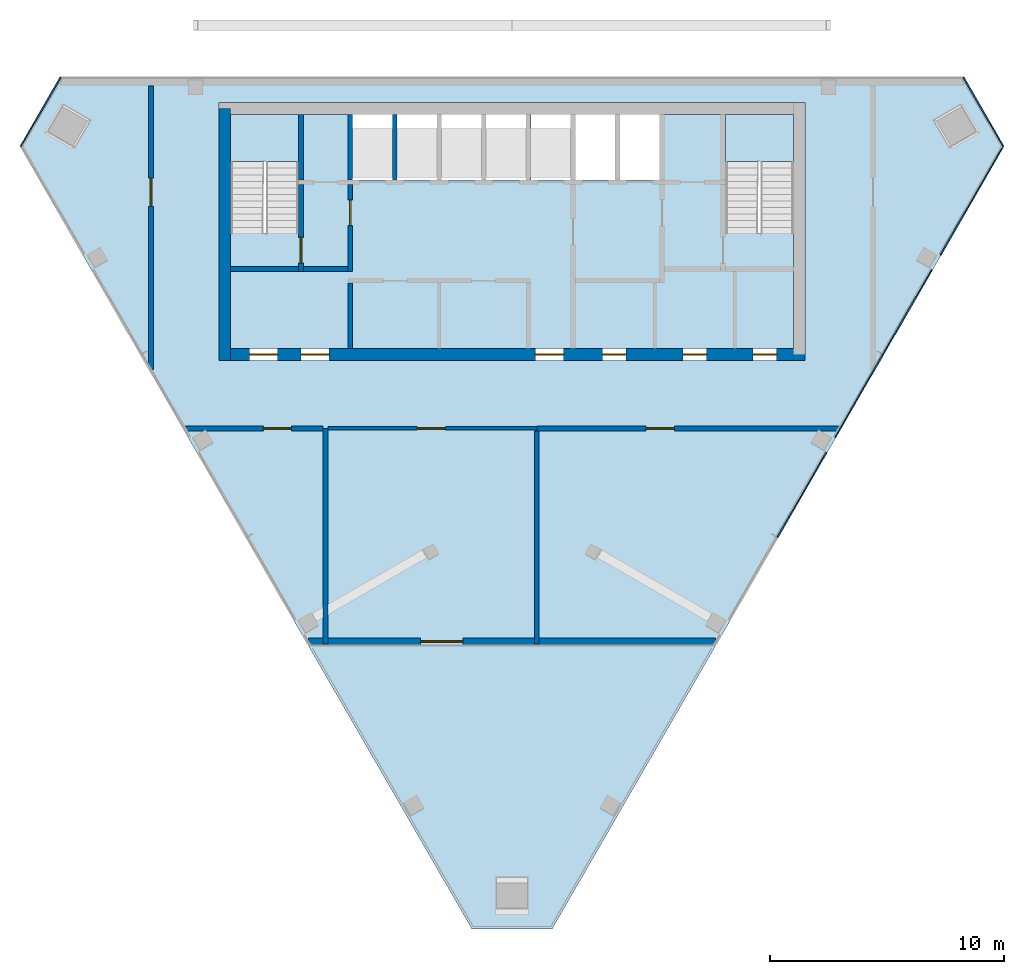
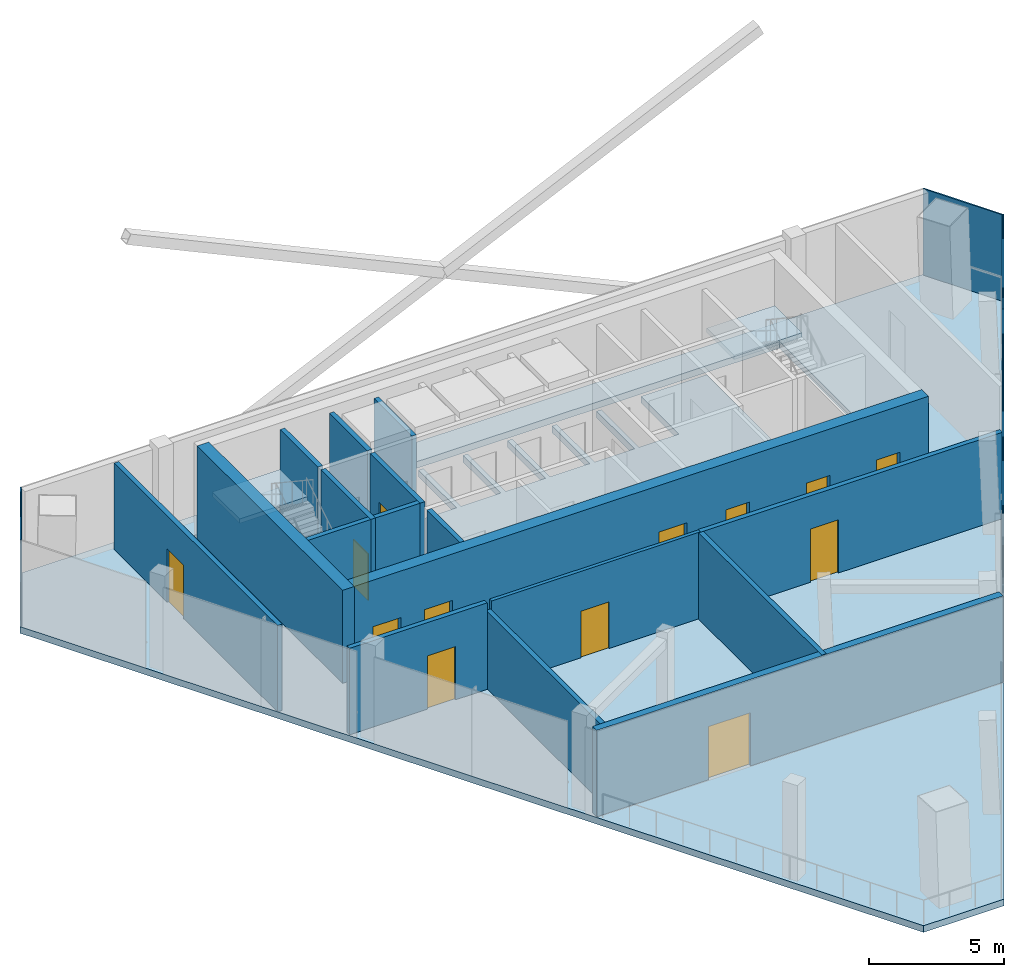
# One storey, part 5 of 8: 17 walls, 13 doors, 6 plates, 4 slabs, 13 openings, 5 elements without a shape of their own.
"""IFC4 building model written with IfcOpenShell, lengths in metres."""

from ifc_helpers import new_model, si_unit, direction, frame, frame_2d, origin, origin_2d, place, context, subcontext, project, spatial, polyline, rectangle, outline, extrude, material, layer, layer_set, type_object, element, fill, aggregate, save


model = new_model("IFC4")

# Units and contexts
model_context = context("Model", 3, precision=1e-05, world=origin(), true_north=direction((0.0, 1.0)))
body_context = subcontext(model_context, "Body", "Model", "MODEL_VIEW")
ifc_project = project(units=[si_unit("LENGTHUNIT", "METRE"), si_unit("AREAUNIT", "SQUARE_METRE"), si_unit("VOLUMEUNIT", "CUBIC_METRE"), si_unit("PLANEANGLEUNIT", "RADIAN"), si_unit("MASSUNIT", "GRAM", prefix="KILO")], contexts=[model_context])

# Site, building, storey
site_placement = place(None, origin())
site = spatial("IfcSite", under=ifc_project, at=site_placement, CompositionType="ELEMENT")
building_placement = place(site_placement, origin())
building = spatial("IfcBuilding", under=site, at=building_placement, Name="Altiplano Prism Tower", CompositionType="ELEMENT")
storey_placement = place(building_placement, frame((0.0, 0.0, 334.60009765625)))
storey = spatial("IfcBuildingStorey", under=building, at=storey_placement, Name="L87", CompositionType="ELEMENT", Elevation=334.60009765625)

# Curtain wall, plate
ifc_material_1 = material(Name="Aluminium and glass", Category="aluminium")
ifc_layer_1 = layer(ifc_material_1, 0.320068359375)
ifc_layer_set_1 = layer_set([ifc_layer_1], Name="Aluminium and glass")
curtain_wall_type = type_object("IfcCurtainWallType", Name="CW6 louvred plant-floor curtain wall", PredefinedType="NOTDEFINED", material=ifc_layer_set_1)
curtain_wall_1_placement = place(storey_placement, origin())
curtain_wall_1 = element("IfcCurtainWall", 1, at=curtain_wall_1_placement, inside=storey, type_object=curtain_wall_type, Name="CW6 curtain wall north-west chamfer L87", PredefinedType="NOTDEFINED")
ifc_material_2 = material(Name="Anodised aluminium", Category="aluminium")
ifc_layer_2 = layer(ifc_material_2, 0.06005859375)
ifc_layer_set_2 = layer_set([ifc_layer_2], Name="Anodised aluminium")
plate_type = type_object("IfcPlateType", Name="CW6 louvred aluminium panel 60", PredefinedType="CURTAIN_PANEL", material=ifc_layer_set_2)
plate_1_placement = place(storey_placement, frame((64.8896484375, 103.502685546875, 0.0), z_axis=(0.0, 0.0, 1.0), x_axis=(-0.500000119106, -0.866025335018, 0.0)))
plate_1 = element("IfcPlate", 2, at=plate_1_placement, type_object=plate_type, Name="CW6 panel", PredefinedType="CURTAIN_PANEL", context=body_context, shape_type="SweptSolid", body=[
    extrude(rectangle(XDim=3.413330078125, YDim=0.06005859375, at=origin_2d()), origin(), (0.0, 0.0, 1.0), 3.89990234375),
])
aggregate(curtain_wall_1, [plate_1])

# Curtain wall, plates
curtain_wall_2_placement = place(storey_placement, origin())
curtain_wall_2 = element("IfcCurtainWall", 3, at=curtain_wall_2_placement, inside=storey, type_object=curtain_wall_type, Name="CW6 curtain wall south-east face L87", PredefinedType="NOTDEFINED")
plate_2_placement = place(storey_placement, frame((97.36962890625, 87.16064453125, 0.0), z_axis=(0.0, 0.0, 1.0), x_axis=(0.500000009009, 0.866025398583, 0.0)))
plate_2 = element("IfcPlate", 4, at=plate_2_placement, type_object=plate_type, Name="CW6 panel", PredefinedType="CURTAIN_PANEL", context=body_context, shape_type="SweptSolid", body=[
    extrude(rectangle(XDim=4.16455078125, YDim=0.06005859375, at=origin_2d()), origin(), (0.0, 0.0, 1.0), 3.89990234375),
])
plate_3_placement = place(storey_placement, frame((99.805419921875, 91.379638671875, 0.0), z_axis=(0.0, 0.0, 1.0), x_axis=(0.500000009009, 0.866025398583, 0.0)))
plate_3 = element("IfcPlate", 5, at=plate_3_placement, type_object=plate_type, Name="CW6 panel", PredefinedType="CURTAIN_PANEL", context=body_context, shape_type="SweptSolid", body=[
    extrude(rectangle(XDim=4.072021484375, YDim=0.06005859375, at=origin_2d()), origin(), (0.0, 0.0, 1.0), 3.89990234375),
])
plate_4_placement = place(storey_placement, frame((101.86962890625, 94.954833984375, 0.0), z_axis=(0.0, 0.0, 1.0), x_axis=(0.500000009009, 0.866025398583, 0.0)))
plate_4 = element("IfcPlate", 6, at=plate_4_placement, type_object=plate_type, Name="CW6 panel", PredefinedType="CURTAIN_PANEL", context=body_context, shape_type="SweptSolid", body=[
    extrude(rectangle(XDim=4.16455078125, YDim=0.06005859375, at=origin_2d()), origin(), (0.0, 0.0, 1.0), 3.89990234375),
])
plate_5_placement = place(storey_placement, frame((104.62548828125, 99.728271484375, 0.0), z_axis=(0.0, 0.0, 1.0), x_axis=(0.500000009009, 0.866025398583, 0.0)))
plate_5 = element("IfcPlate", 7, at=plate_5_placement, type_object=plate_type, Name="CW6 panel", PredefinedType="CURTAIN_PANEL", context=body_context, shape_type="SweptSolid", body=[
    extrude(rectangle(XDim=5.3525390625, YDim=0.06005859375, at=origin_2d()), origin(), (0.0, 0.0, 1.0), 3.89990234375),
])
aggregate(curtain_wall_2, [plate_2, plate_3, plate_4, plate_5])

# Curtain wall, plate
curtain_wall_3_placement = place(storey_placement, origin())
curtain_wall_3 = element("IfcCurtainWall", 8, at=curtain_wall_3_placement, inside=storey, type_object=curtain_wall_type, Name="CW6 curtain wall north-east chamfer L87", PredefinedType="NOTDEFINED")
plate_6_placement = place(storey_placement, frame((105.1103515625, 103.502685546875, 0.0), z_axis=(0.0, 0.0, 1.0), x_axis=(-0.500000119106, 0.866025335018, 0.0)))
plate_6 = element("IfcPlate", 9, at=plate_6_placement, type_object=plate_type, Name="CW6 panel", PredefinedType="CURTAIN_PANEL", context=body_context, shape_type="SweptSolid", body=[
    extrude(rectangle(XDim=3.413330078125, YDim=0.06005859375, at=origin_2d()), origin(), (0.0, 0.0, 1.0), 3.89990234375),
])
aggregate(curtain_wall_3, [plate_6])

# Slabs
ifc_material_3 = material(Name="Concrete C40/50", Category="concrete")
ifc_layer_3 = layer(ifc_material_3, 0.300048828125)
ifc_layer_set_3 = layer_set([ifc_layer_3], Name="Concrete C40/50")
slab_type_1 = type_object("IfcSlabType", Name="Core floor slab 300", PredefinedType="FLOOR", material=ifc_layer_set_3)
slab_1_placement = place(storey_placement, frame((0.0, 0.0, -0.300048828125)))
element("IfcSlab", 10, at=slab_1_placement, inside=storey, type_object=slab_type_1, Name="Core floor slab L87", PredefinedType="FLOOR", context=body_context, shape_type="SweptSolid", body=[
    extrude(outline(polyline([(97.0, 98.31005859375), (94.10009765625, 98.31005859375), (94.10009765625, 103.39990234375), (91.300048828125, 103.39990234375), (91.300048828125, 100.60009765625), (89.60009765625, 100.60009765625), (89.60009765625, 103.39990234375), (89.39990234375, 103.39990234375), (89.39990234375, 100.60009765625), (87.699951171875, 100.60009765625), (87.699951171875, 103.39990234375), (87.5, 103.39990234375), (87.5, 100.60009765625), (85.800048828125, 100.60009765625), (85.800048828125, 103.39990234375), (85.60009765625, 103.39990234375), (85.60009765625, 100.60009765625), (83.89990234375, 100.60009765625), (83.89990234375, 103.39990234375), (83.699951171875, 103.39990234375), (83.699951171875, 100.60009765625), (82.0, 100.60009765625), (82.0, 103.39990234375), (81.800048828125, 103.39990234375), (81.800048828125, 100.60009765625), (80.10009765625, 100.60009765625), (80.10009765625, 103.39990234375), (79.89990234375, 103.39990234375), (79.89990234375, 100.60009765625), (78.199951171875, 100.60009765625), (78.199951171875, 103.39990234375), (75.89990234375, 103.39990234375), (75.89990234375, 98.31005859375), (73.0, 98.31005859375), (73.0, 93.39990234375), (97.0, 93.39990234375), (97.0, 98.31005859375)])), origin(), (0.0, 0.0, 1.0), 0.300048828125),
])
ifc_layer_4 = layer(ifc_material_3, 0.300048828125)
ifc_layer_set_4 = layer_set([ifc_layer_4], Name="Concrete C40/50")
slab_type_2 = type_object("IfcSlabType", Name="Post-tensioned flat slab 300", PredefinedType="FLOOR", material=ifc_layer_set_4)
slab_2_placement = place(storey_placement, frame((0.0, 0.0, -0.300048828125)))
element("IfcSlab", 11, at=slab_2_placement, inside=storey, type_object=slab_type_2, Name="Floor slab L87", PredefinedType="FLOOR", context=body_context, shape_type="SweptSolid", body=[
    extrude(outline(polyline([(105.991943359375, 102.035400390625), (86.711669921875, 68.640625), (83.288330078125, 68.640625), (64.008056640625, 102.035400390625), (65.7197265625, 105.0), (104.2802734375, 105.0), (105.991943359375, 102.035400390625)]), holes=[polyline([(97.5, 92.89990234375), (97.5, 103.89990234375), (72.5, 103.89990234375), (72.5, 92.89990234375), (97.5, 92.89990234375)])]), origin(), (0.0, 0.0, 1.0), 0.300048828125),
])

# Stair, slab
stair_type = type_object("IfcStairType", Name="Exit stair 1400", PredefinedType="HALF_TURN_STAIR", material=ifc_material_3)
stair_1_placement = place(storey_placement, origin())
stair_1 = element("IfcStair", 12, at=stair_1_placement, inside=storey, type_object=stair_type, Name="L87 Exit Stair 1", PredefinedType="HALF_TURN_STAIR")
ifc_layer_5 = layer(ifc_material_3, 0.199951171875)
ifc_layer_set_5 = layer_set([ifc_layer_5], Name="Concrete C40/50")
slab_type_3 = type_object("IfcSlabType", Name="Stair landing 200", PredefinedType="LANDING", material=ifc_layer_set_5)
slab_3_placement = place(storey_placement, frame((0.0, 0.0, 1.89990234375)))
slab_3 = element("IfcSlab", 13, at=slab_3_placement, type_object=slab_type_3, Name="ST1 landing 1", PredefinedType="LANDING", context=body_context, shape_type="SweptSolid", body=[
    extrude(outline(polyline([(75.89990234375, 101.376953125), (75.89990234375, 103.39990234375), (73.0, 103.39990234375), (73.0, 101.376953125), (75.89990234375, 101.376953125)])), origin(), (0.0, 0.0, 1.0), 0.199951171875),
])
aggregate(stair_1, [slab_3])

stair_2_placement = place(storey_placement, origin())
stair_2 = element("IfcStair", 14, at=stair_2_placement, inside=storey, type_object=stair_type, Name="L87 Exit Stair 2", PredefinedType="HALF_TURN_STAIR")
slab_4_placement = place(storey_placement, frame((0.0, 0.0, 1.89990234375)))
slab_4 = element("IfcSlab", 15, at=slab_4_placement, type_object=slab_type_3, Name="ST2 landing 1", PredefinedType="LANDING", context=body_context, shape_type="SweptSolid", body=[
    extrude(outline(polyline([(97.0, 101.376953125), (97.0, 103.39990234375), (94.10009765625, 103.39990234375), (94.10009765625, 101.376953125), (97.0, 101.376953125)])), origin(), (0.0, 0.0, 1.0), 0.199951171875),
])
aggregate(stair_2, [slab_4])

# Wall, openings, doors
ifc_material_4 = material(Name="Concrete C60/75", Category="concrete")
ifc_layer_6 = layer(ifc_material_4, 0.5)
ifc_layer_set_6 = layer_set([ifc_layer_6], Name="Concrete C60/75")
wall_type_1 = type_object("IfcWallType", Name="Core wall 500", PredefinedType="SHEAR", material=ifc_layer_set_6)
wall_1_placement = place(storey_placement, frame((72.75, 93.14990234375, 0.0), z_axis=(0.0, 0.0, 1.0), x_axis=(1.0, 0.0, 0.0)))
wall_1 = element("IfcWall", 16, at=wall_1_placement, inside=storey, type_object=wall_type_1, Name="Core wall S L87", PredefinedType="SHEAR", context=body_context, shape_type="SweptSolid", body=[
    extrude(rectangle(XDim=24.75, YDim=0.5, at=frame_2d((12.375, 0.0))), origin(), (0.0, 0.0, 1.0), 4.199951171875),
])
opening_1_placement = place(wall_1_placement, frame((1.050048828125, 0.0, 0.0)))
opening_1 = element("IfcOpeningElement", 17, at=opening_1_placement, cuts=wall_1, Name="Opening D3821", PredefinedType="OPENING", context=body_context, shape_type="SweptSolid", body=[
    extrude(rectangle(XDim=1.199951171875, YDim=2.10009765625, at=frame_2d((0.60009765625, 1.050048828125))), frame((0.0, 0.260498046875, 0.0), z_axis=(0.0, -1.0, 0.0), x_axis=(1.0, 0.0, 0.0)), (0.0, 0.0, 1.0), 0.52099609375),
])
opening_2_placement = place(wall_1_placement, frame((3.25, 0.0, 0.0)))
opening_2 = element("IfcOpeningElement", 18, at=opening_2_placement, cuts=wall_1, Name="Opening D3822", PredefinedType="OPENING", context=body_context, shape_type="SweptSolid", body=[
    extrude(rectangle(XDim=1.199951171875, YDim=2.10009765625, at=frame_2d((0.60009765625, 1.050048828125))), frame((0.0, 0.260498046875, 0.0), z_axis=(0.0, -1.0, 0.0), x_axis=(1.0, 0.0, 0.0)), (0.0, 0.0, 1.0), 0.52099609375),
])
opening_3_placement = place(wall_1_placement, frame((13.25, 0.0, 0.0)))
opening_3 = element("IfcOpeningElement", 19, at=opening_3_placement, cuts=wall_1, Name="Opening D3823", PredefinedType="OPENING", context=body_context, shape_type="SweptSolid", body=[
    extrude(rectangle(XDim=1.199951171875, YDim=2.10009765625, at=frame_2d((0.60009765625, 1.050048828125))), frame((0.0, 0.260498046875, 0.0), z_axis=(0.0, -1.0, 0.0), x_axis=(1.0, 0.0, 0.0)), (0.0, 0.0, 1.0), 0.52099609375),
])
opening_4_placement = place(wall_1_placement, frame((16.112548828125, 0.0, 0.0)))
opening_4 = element("IfcOpeningElement", 20, at=opening_4_placement, cuts=wall_1, Name="Opening D3826", PredefinedType="OPENING", context=body_context, shape_type="SweptSolid", body=[
    extrude(rectangle(XDim=1.0, YDim=2.10009765625, at=frame_2d((0.5, 1.050048828125))), frame((0.0, 0.260498046875, 0.0), z_axis=(0.0, -1.0, 0.0), x_axis=(1.0, 0.0, 0.0)), (0.0, 0.0, 1.0), 0.52099609375),
])
opening_5_placement = place(wall_1_placement, frame((19.550048828125, 0.0, 0.0)))
opening_5 = element("IfcOpeningElement", 21, at=opening_5_placement, cuts=wall_1, Name="Opening D3827", PredefinedType="OPENING", context=body_context, shape_type="SweptSolid", body=[
    extrude(rectangle(XDim=1.0, YDim=2.10009765625, at=frame_2d((0.5, 1.050048828125))), frame((0.0, 0.260498046875, 0.0), z_axis=(0.0, -1.0, 0.0), x_axis=(1.0, 0.0, 0.0)), (0.0, 0.0, 1.0), 0.52099609375),
])
opening_6_placement = place(wall_1_placement, frame((22.53759765625, 0.0, 0.0)))
opening_6 = element("IfcOpeningElement", 22, at=opening_6_placement, cuts=wall_1, Name="Opening D3828", PredefinedType="OPENING", context=body_context, shape_type="SweptSolid", body=[
    extrude(rectangle(XDim=1.0, YDim=2.10009765625, at=frame_2d((0.5, 1.050048828125))), frame((0.0, 0.260498046875, 0.0), z_axis=(0.0, -1.0, 0.0), x_axis=(1.0, 0.0, 0.0)), (0.0, 0.0, 1.0), 0.52099609375),
])
ifc_material_5 = material(Name="Fire-rated steel door", Category="steel")
door_type_1 = type_object("IfcDoorType", Name="Core room door 1000 x 2100", OperationType="NOTDEFINED", PredefinedType="NOTDEFINED", material=ifc_material_5)
door_1_placement = place(opening_4_placement, origin())
door_1 = element("IfcDoor", 23, at=door_1_placement, inside=storey, type_object=door_type_1, Name="Core room door D3826", OperationType="SINGLE_SWING_RIGHT", OverallHeight=2.10009765625, OverallWidth=1.0, PredefinedType="NOTDEFINED", context=body_context, shape_type="SweptSolid", body=[
    extrude(rectangle(XDim=1.0, YDim=2.10009765625, at=frame_2d((0.5, 1.050048828125))), frame((0.0, 0.02490234375, 0.0), z_axis=(0.0, -1.0, 0.0), x_axis=(1.0, 0.0, 0.0)), (0.0, 0.0, 1.0), 0.050048828125),
])
fill(opening_4, door_1)
door_2_placement = place(opening_5_placement, origin())
door_2 = element("IfcDoor", 24, at=door_2_placement, inside=storey, type_object=door_type_1, Name="Core room door D3827", OperationType="SINGLE_SWING_LEFT", OverallHeight=2.10009765625, OverallWidth=1.0, PredefinedType="NOTDEFINED", context=body_context, shape_type="SweptSolid", body=[
    extrude(rectangle(XDim=1.0, YDim=2.10009765625, at=frame_2d((0.5, 1.050048828125))), frame((0.0, 0.02490234375, 0.0), z_axis=(0.0, -1.0, 0.0), x_axis=(1.0, 0.0, 0.0)), (0.0, 0.0, 1.0), 0.050048828125),
])
fill(opening_5, door_2)
door_3_placement = place(opening_6_placement, origin())
door_3 = element("IfcDoor", 25, at=door_3_placement, inside=storey, type_object=door_type_1, Name="Core room door D3828", OperationType="SINGLE_SWING_RIGHT", OverallHeight=2.10009765625, OverallWidth=1.0, PredefinedType="NOTDEFINED", context=body_context, shape_type="SweptSolid", body=[
    extrude(rectangle(XDim=1.0, YDim=2.10009765625, at=frame_2d((0.5, 1.050048828125))), frame((0.0, 0.02490234375, 0.0), z_axis=(0.0, -1.0, 0.0), x_axis=(1.0, 0.0, 0.0)), (0.0, 0.0, 1.0), 0.050048828125),
])
fill(opening_6, door_3)
door_type_2 = type_object("IfcDoorType", Name="Lobby fire door 1200 x 2100", OperationType="NOTDEFINED", PredefinedType="NOTDEFINED", material=ifc_material_5)
door_4_placement = place(opening_1_placement, origin())
door_4 = element("IfcDoor", 26, at=door_4_placement, inside=storey, type_object=door_type_2, Name="Lobby fire door D3821", OperationType="SINGLE_SWING_RIGHT", OverallHeight=2.10009765625, OverallWidth=1.199951171875, PredefinedType="NOTDEFINED", context=body_context, shape_type="SweptSolid", body=[
    extrude(rectangle(XDim=1.199951171875, YDim=2.10009765625, at=frame_2d((0.60009765625, 1.050048828125))), frame((0.0, 0.02490234375, 0.0), z_axis=(0.0, -1.0, 0.0), x_axis=(1.0, 0.0, 0.0)), (0.0, 0.0, 1.0), 0.050048828125),
])
fill(opening_1, door_4)
door_5_placement = place(opening_2_placement, origin())
door_5 = element("IfcDoor", 27, at=door_5_placement, inside=storey, type_object=door_type_2, Name="Lobby fire door D3822", OperationType="SINGLE_SWING_LEFT", OverallHeight=2.10009765625, OverallWidth=1.199951171875, PredefinedType="NOTDEFINED", context=body_context, shape_type="SweptSolid", body=[
    extrude(rectangle(XDim=1.199951171875, YDim=2.10009765625, at=frame_2d((0.60009765625, 1.050048828125))), frame((0.0, 0.02490234375, 0.0), z_axis=(0.0, -1.0, 0.0), x_axis=(1.0, 0.0, 0.0)), (0.0, 0.0, 1.0), 0.050048828125),
])
fill(opening_2, door_5)
door_6_placement = place(opening_3_placement, origin())
door_6 = element("IfcDoor", 28, at=door_6_placement, inside=storey, type_object=door_type_2, Name="Lobby fire door D3823", OperationType="SINGLE_SWING_RIGHT", OverallHeight=2.10009765625, OverallWidth=1.199951171875, PredefinedType="NOTDEFINED", context=body_context, shape_type="SweptSolid", body=[
    extrude(rectangle(XDim=1.199951171875, YDim=2.10009765625, at=frame_2d((0.60009765625, 1.050048828125))), frame((0.0, 0.02490234375, 0.0), z_axis=(0.0, -1.0, 0.0), x_axis=(1.0, 0.0, 0.0)), (0.0, 0.0, 1.0), 0.050048828125),
])
fill(opening_3, door_6)

# Wall
wall_2_placement = place(storey_placement, frame((72.75, 103.64990234375, 0.0), z_axis=(0.0, 0.0, 1.0), x_axis=(0.0, -1.0, 0.0)))
element("IfcWall", 29, at=wall_2_placement, inside=storey, type_object=wall_type_1, Name="Core wall W L87", PredefinedType="SHEAR", context=body_context, shape_type="SweptSolid", body=[
    extrude(rectangle(XDim=10.75, YDim=0.5, at=frame_2d((5.375, 0.0))), origin(), (0.0, 0.0, 1.0), 4.199951171875),
])

# Wall, opening, door
ifc_material_6 = material(Name="Plasterboard on steel stud", Category="steel")
ifc_layer_7 = layer(ifc_material_6, 0.14990234375)
ifc_layer_set_7 = layer_set([ifc_layer_7], Name="Plasterboard on steel stud")
wall_type_2 = type_object("IfcWallType", Name="Partition 150 corridor", PredefinedType="PARTITIONING", material=ifc_layer_set_7)
wall_3_placement = place(storey_placement, frame((77.14306640625, 89.9990234375, 0.0), z_axis=(0.0, 0.0, 1.0), x_axis=(1.0, 0.0, 0.0)))
wall_3 = element("IfcWall", 30, at=wall_3_placement, inside=storey, type_object=wall_type_2, Name="Partition P06 L87 002", PredefinedType="PARTITIONING", context=body_context, shape_type="SweptSolid", body=[
    extrude(rectangle(XDim=8.91943359375, YDim=0.14990234375, at=frame_2d((4.459716796875, 0.0))), origin(), (0.0, 0.0, 1.0), 3.89990234375),
])
opening_7_placement = place(wall_3_placement, frame((3.81005859375, 0.0, 0.0)))
opening_7 = element("IfcOpeningElement", 31, at=opening_7_placement, cuts=wall_3, Name="Opening D2506", PredefinedType="OPENING", context=body_context, shape_type="SweptSolid", body=[
    extrude(rectangle(XDim=1.199951171875, YDim=2.10009765625, at=frame_2d((0.60009765625, 1.050048828125))), frame((0.0, 0.08544921875, 0.0), z_axis=(0.0, -1.0, 0.0), x_axis=(1.0, 0.0, 0.0)), (0.0, 0.0, 1.0), 0.1708984375),
])
ifc_material_7 = material(Name="Timber", Category="wood")
door_type_3 = type_object("IfcDoorType", Name="Shared room door 1200 x 2100", OperationType="NOTDEFINED", PredefinedType="NOTDEFINED", material=ifc_material_7)
door_7_placement = place(opening_7_placement, origin())
door_7 = element("IfcDoor", 32, at=door_7_placement, inside=storey, type_object=door_type_3, Name="Door D2506", OperationType="SINGLE_SWING_LEFT", OverallHeight=2.10009765625, OverallWidth=1.199951171875, PredefinedType="NOTDEFINED", context=body_context, shape_type="SweptSolid", body=[
    extrude(rectangle(XDim=1.199951171875, YDim=2.10009765625, at=frame_2d((0.60009765625, 1.050048828125))), frame((0.0, 0.02490234375, 0.0), z_axis=(0.0, -1.0, 0.0), x_axis=(1.0, 0.0, 0.0)), (0.0, 0.0, 1.0), 0.050048828125),
])
fill(opening_7, door_7)

ifc_layer_8 = layer(ifc_material_6, 0.199951171875)
ifc_layer_set_8 = layer_set([ifc_layer_8], Name="Plasterboard on steel stud")
wall_type_3 = type_object("IfcWallType", Name="Partition 200 plant", PredefinedType="PARTITIONING", material=ifc_layer_set_8)
wall_4_placement = place(storey_placement, frame((86.0625, 89.9990234375, 0.0), z_axis=(0.0, 0.0, 1.0), x_axis=(1.0, 0.0, 0.0)))
wall_4 = element("IfcWall", 33, at=wall_4_placement, inside=storey, type_object=wall_type_3, Name="Partition P04 L87 001", PredefinedType="PARTITIONING", context=body_context, shape_type="SweptSolid", body=[
    extrude(rectangle(XDim=12.864990234375, YDim=0.199951171875, at=frame_2d((6.4326171875, 0.0))), origin(), (0.0, 0.0, 1.0), 3.89990234375),
])
opening_8_placement = place(wall_4_placement, frame((4.6650390625, 0.0, 0.0)))
opening_8 = element("IfcOpeningElement", 34, at=opening_8_placement, cuts=wall_4, Name="Opening D2505", PredefinedType="OPENING", context=body_context, shape_type="SweptSolid", body=[
    extrude(rectangle(XDim=1.199951171875, YDim=2.39990234375, at=frame_2d((0.60009765625, 1.199951171875))), frame((0.0, 0.1103515625, 0.0), z_axis=(0.0, -1.0, 0.0), x_axis=(1.0, 0.0, 0.0)), (0.0, 0.0, 1.0), 0.220947265625),
])
ifc_material_8 = material(Name="Painted steel door leaf", Category="steel")
door_type_4 = type_object("IfcDoorType", Name="Plant room door 1200 x 2400", OperationType="NOTDEFINED", PredefinedType="NOTDEFINED", material=ifc_material_8)
door_8_placement = place(opening_8_placement, origin())
door_8 = element("IfcDoor", 35, at=door_8_placement, inside=storey, type_object=door_type_4, Name="Door D2505", OperationType="SINGLE_SWING_RIGHT", OverallHeight=2.39990234375, OverallWidth=1.199951171875, PredefinedType="NOTDEFINED", context=body_context, shape_type="SweptSolid", body=[
    extrude(rectangle(XDim=1.199951171875, YDim=2.39990234375, at=frame_2d((0.60009765625, 1.199951171875))), frame((0.0, 0.02490234375, 0.0), z_axis=(0.0, -1.0, 0.0), x_axis=(1.0, 0.0, 0.0)), (0.0, 0.0, 1.0), 0.050048828125),
])
fill(opening_8, door_8)

wall_5_placement = place(storey_placement, frame((69.60009765625, 104.60009765625, 0.0), z_axis=(0.0, 0.0, 1.0), x_axis=(-8.0781969e-05, -0.999999996737, 0.0)))
wall_5 = element("IfcWall", 36, at=wall_5_placement, inside=storey, type_object=wall_type_3, Name="Partition P04 L87 003", PredefinedType="PARTITIONING", context=body_context, shape_type="SweptSolid", body=[
    extrude(rectangle(XDim=12.0888671875, YDim=0.199951171875, at=frame_2d((6.04443359375, 0.0))), origin(), (0.0, 0.0, 1.0), 3.89990234375),
])
opening_9_placement = place(wall_5_placement, frame((3.923095703125, 0.0, 0.0)))
opening_9 = element("IfcOpeningElement", 37, at=opening_9_placement, cuts=wall_5, Name="Opening D2507", PredefinedType="OPENING", context=body_context, shape_type="SweptSolid", body=[
    extrude(rectangle(XDim=1.199951171875, YDim=2.39990234375, at=frame_2d((0.60009765625, 1.199951171875))), frame((0.0, 0.1103515625, 0.0), z_axis=(0.0, -1.0, 0.0), x_axis=(1.0, 0.0, 0.0)), (0.0, 0.0, 1.0), 0.220947265625),
])
door_9_placement = place(opening_9_placement, origin())
door_9 = element("IfcDoor", 38, at=door_9_placement, inside=storey, type_object=door_type_4, Name="Door D2507", OperationType="SINGLE_SWING_RIGHT", OverallHeight=2.39990234375, OverallWidth=1.199951171875, PredefinedType="NOTDEFINED", context=body_context, shape_type="SweptSolid", body=[
    extrude(rectangle(XDim=1.199951171875, YDim=2.39990234375, at=frame_2d((0.60009765625, 1.199951171875))), frame((0.0, 0.02490234375, 0.0), z_axis=(0.0, -1.0, 0.0), x_axis=(1.0, 0.0, 0.0)), (0.0, 0.0, 1.0), 0.050048828125),
])
fill(opening_9, door_9)

wall_6_placement = place(storey_placement, frame((71.072509765625, 89.9990234375, 0.0), z_axis=(0.0, 0.0, 1.0), x_axis=(1.0, 0.0, 0.0)))
wall_6 = element("IfcWall", 39, at=wall_6_placement, inside=storey, type_object=wall_type_3, Name="Partition P04 L87 005", PredefinedType="PARTITIONING", context=body_context, shape_type="SweptSolid", body=[
    extrude(rectangle(XDim=5.87060546875, YDim=0.199951171875, at=frame_2d((2.935302734375, 0.0))), origin(), (0.0, 0.0, 1.0), 3.89990234375),
])
opening_10_placement = place(wall_6_placement, frame((3.31689453125, 0.0, 0.0)))
opening_10 = element("IfcOpeningElement", 40, at=opening_10_placement, cuts=wall_6, Name="Opening D2509", PredefinedType="OPENING", context=body_context, shape_type="SweptSolid", body=[
    extrude(rectangle(XDim=1.199951171875, YDim=2.39990234375, at=frame_2d((0.60009765625, 1.199951171875))), frame((0.0, 0.1103515625, 0.0), z_axis=(0.0, -1.0, 0.0), x_axis=(1.0, 0.0, 0.0)), (0.0, 0.0, 1.0), 0.220947265625),
])
door_10_placement = place(opening_10_placement, origin())
door_10 = element("IfcDoor", 41, at=door_10_placement, inside=storey, type_object=door_type_4, Name="Door D2509", OperationType="SINGLE_SWING_LEFT", OverallHeight=2.39990234375, OverallWidth=1.199951171875, PredefinedType="NOTDEFINED", context=body_context, shape_type="SweptSolid", body=[
    extrude(rectangle(XDim=1.199951171875, YDim=2.39990234375, at=frame_2d((0.60009765625, 1.199951171875))), frame((0.0, 0.02490234375, 0.0), z_axis=(0.0, -1.0, 0.0), x_axis=(1.0, 0.0, 0.0)), (0.0, 0.0, 1.0), 0.050048828125),
])
fill(opening_10, door_10)

# Walls
wall_7_placement = place(storey_placement, frame((86.0625, 89.89892578125, 0.0), z_axis=(0.0, 0.0, 1.0), x_axis=(0.0, -1.0, 0.0)))
element("IfcWall", 42, at=wall_7_placement, inside=storey, type_object=wall_type_3, Name="Partition P04 L87 006", PredefinedType="PARTITIONING", context=body_context, shape_type="SweptSolid", body=[
    extrude(rectangle(XDim=9.098876953125, YDim=0.199951171875, at=frame_2d((4.54931640625, 0.0))), origin(), (0.0, 0.0, 1.0), 3.89990234375),
])
wall_8_placement = place(storey_placement, frame((77.043212890625, 89.9990234375, 0.0), z_axis=(0.0, 0.0, 1.0), x_axis=(0.0, -1.0, 0.0)))
element("IfcWall", 43, at=wall_8_placement, inside=storey, type_object=wall_type_3, Name="Partition P04 L87 007", PredefinedType="PARTITIONING", context=body_context, shape_type="SweptSolid", body=[
    extrude(rectangle(XDim=9.198974609375, YDim=0.199951171875, at=frame_2d((4.599609375, 0.0))), origin(), (0.0, 0.0, 1.0), 3.5),
])
ifc_layer_9 = layer(ifc_material_4, 0.199951171875)
ifc_layer_set_9 = layer_set([ifc_layer_9], Name="Concrete C60/75")
wall_type_4 = type_object("IfcWallType", Name="Shaft wall 200", PredefinedType="SOLIDWALL", material=ifc_layer_set_9)
for number, where, z_axis, x_axis, name in (
    (44, (78.10009765625, 100.60009765625, 0.0), (0.0, 0.0, 1.0), (0.0, 1.0, 0.0), "Shaft wall L87"),
    (45, (80.0, 100.60009765625, 0.0), (0.0, 0.0, 1.0), (0.0, 1.0, 0.0), "Shaft wall L87"),
):
    element("IfcWall", number, at=place(storey_placement, frame(where, z_axis=z_axis, x_axis=x_axis)), inside=storey, type_object=wall_type_4, Name=name, PredefinedType="SOLIDWALL", context=body_context, shape_type="SweptSolid", body=[
        extrude(rectangle(XDim=2.7998046875, YDim=0.199951171875, at=frame_2d((1.39990234375, 0.0))), origin(), (0.0, 0.0, 1.0), 3.89990234375),
    ])
ifc_layer_10 = layer(ifc_material_4, 0.199951171875)
ifc_layer_set_10 = layer_set([ifc_layer_10], Name="Concrete C60/75")
wall_type_5 = type_object("IfcWallType", Name="Stair wall 200", PredefinedType="SOLIDWALL", material=ifc_layer_set_10)
wall_9_placement = place(storey_placement, frame((73.0, 96.800048828125, 0.0), z_axis=(0.0, 0.0, 1.0), x_axis=(1.0, 0.0, 0.0)))
element("IfcWall", 46, at=wall_9_placement, inside=storey, type_object=wall_type_5, Name="Stair wall L87", PredefinedType="SOLIDWALL", context=body_context, shape_type="SweptSolid", body=[
    extrude(rectangle(XDim=2.89990234375, YDim=0.199951171875, at=frame_2d((1.449951171875, 0.0))), origin(), (0.0, 0.0, 1.0), 3.89990234375),
])

# Wall, opening, door
wall_10_placement = place(storey_placement, frame((76.0, 96.699951171875, 0.0), z_axis=(0.0, 0.0, 1.0), x_axis=(0.0, 1.0, 0.0)))
wall_10 = element("IfcWall", 47, at=wall_10_placement, inside=storey, type_object=wall_type_5, Name="Stair wall L87", PredefinedType="SOLIDWALL", context=body_context, shape_type="SweptSolid", body=[
    extrude(rectangle(XDim=3.699951171875, YDim=0.199951171875, at=frame_2d((1.85009765625, 0.0))), origin(), (0.0, 0.0, 1.0), 3.89990234375),
])
opening_11_placement = place(wall_10_placement, frame((0.35009765625, 0.0, 0.0)))
opening_11 = element("IfcOpeningElement", 48, at=opening_11_placement, cuts=wall_10, Name="Opening D3816", PredefinedType="OPENING", context=body_context, shape_type="SweptSolid", body=[
    extrude(rectangle(XDim=1.10009765625, YDim=2.10009765625, at=frame_2d((0.550048828125, 1.050048828125))), frame((0.0, 0.1103515625, 0.0), z_axis=(0.0, -1.0, 0.0), x_axis=(1.0, 0.0, 0.0)), (0.0, 0.0, 1.0), 0.220947265625),
])
door_type_5 = type_object("IfcDoorType", Name="Stair fire door 1100 x 2100", OperationType="NOTDEFINED", PredefinedType="NOTDEFINED", material=ifc_material_5)
door_11_placement = place(opening_11_placement, origin())
door_11 = element("IfcDoor", 49, at=door_11_placement, inside=storey, type_object=door_type_5, Name="Stair fire door D3816", OperationType="SINGLE_SWING_RIGHT", OverallHeight=2.10009765625, OverallWidth=1.10009765625, PredefinedType="NOTDEFINED", context=body_context, shape_type="SweptSolid", body=[
    extrude(rectangle(XDim=1.10009765625, YDim=2.10009765625, at=frame_2d((0.550048828125, 1.050048828125))), frame((0.0, 0.02490234375, 0.0), z_axis=(0.0, -1.0, 0.0), x_axis=(1.0, 0.0, 0.0)), (0.0, 0.0, 1.0), 0.050048828125),
])
fill(opening_11, door_11)

# Wall
wall_11_placement = place(storey_placement, frame((76.0, 100.60009765625, 0.0), z_axis=(0.0, 0.0, 1.0), x_axis=(0.0, 1.0, 0.0)))
element("IfcWall", 50, at=wall_11_placement, inside=storey, type_object=wall_type_5, Name="Stair wall L87", PredefinedType="SOLIDWALL", context=body_context, shape_type="SweptSolid", body=[
    extrude(rectangle(XDim=2.7998046875, YDim=0.199951171875, at=frame_2d((1.39990234375, 0.0))), origin(), (0.0, 0.0, 1.0), 3.89990234375),
])

# Wall, opening, door
ifc_material_9 = material(Name="Concrete C40", Category="concrete")
ifc_layer_11 = layer(ifc_material_9, 0.300048828125)
ifc_layer_set_11 = layer_set([ifc_layer_11], Name="Concrete C40")
wall_type_6 = type_object("IfcWallType", Name="Stone-clad external wall 300", PredefinedType="SOLIDWALL", material=ifc_layer_set_11)
wall_12_placement = place(storey_placement, frame((93.674072265625, 80.909912109375, 0.0), z_axis=(0.0, 0.0, 1.0), x_axis=(-1.0, 0.0, 0.0)))
wall_12 = element("IfcWall", 51, at=wall_12_placement, inside=storey, type_object=wall_type_6, Name="External wall portal cut L87", PredefinedType="SOLIDWALL", context=body_context, shape_type="SweptSolid", body=[
    extrude(rectangle(XDim=17.34814453125, YDim=0.300048828125, at=frame_2d((8.674072265625, 0.0))), origin(), (0.0, 0.0, 1.0), 3.89990234375),
])
opening_12_placement = place(wall_12_placement, frame((10.774169921875, 0.0, 0.0)))
opening_12 = element("IfcOpeningElement", 52, at=opening_12_placement, cuts=wall_12, Name="Opening D2551", PredefinedType="OPENING", context=body_context, shape_type="SweptSolid", body=[
    extrude(rectangle(XDim=1.800048828125, YDim=2.39990234375, at=frame_2d((0.89990234375, 1.199951171875))), frame((0.0, 0.16064453125, 0.0), z_axis=(0.0, -1.0, 0.0), x_axis=(1.0, 0.0, 0.0)), (0.0, 0.0, 1.0), 0.321044921875),
])
ifc_material_10 = material(Name="Steel S355", Category="steel")
door_type_6 = type_object("IfcDoorType", Name="Portal deck door 1800 x 2400", OperationType="NOTDEFINED", PredefinedType="NOTDEFINED", material=ifc_material_10)
door_12_placement = place(opening_12_placement, origin())
door_12 = element("IfcDoor", 53, at=door_12_placement, inside=storey, type_object=door_type_6, Name="Portal deck door", OperationType="DOUBLE_DOOR_SINGLE_SWING", OverallHeight=2.39990234375, OverallWidth=1.800048828125, PredefinedType="NOTDEFINED", context=body_context, shape_type="SweptSolid", body=[
    extrude(rectangle(XDim=1.800048828125, YDim=2.39990234375, at=frame_2d((0.89990234375, 1.199951171875))), frame((0.0, 0.02490234375, 0.0), z_axis=(0.0, -1.0, 0.0), x_axis=(1.0, 0.0, 0.0)), (0.0, 0.0, 1.0), 0.050048828125),
])
fill(opening_12, door_12)

# Walls
ifc_layer_12 = layer(ifc_material_4, 0.199951171875)
ifc_layer_set_12 = layer_set([ifc_layer_12], Name="Concrete C60/75")
wall_type_7 = type_object("IfcWallType", Name="Vestibule wall 200", PredefinedType="PARTITIONING", material=ifc_layer_set_12)
wall_13_placement = place(storey_placement, frame((78.10009765625, 93.39990234375, 0.0), z_axis=(0.0, 0.0, 1.0), x_axis=(0.0, 1.0, 0.0)))
element("IfcWall", 54, at=wall_13_placement, inside=storey, type_object=wall_type_7, Name="Vestibule wall L87", PredefinedType="PARTITIONING", context=body_context, shape_type="SweptSolid", body=[
    extrude(rectangle(XDim=2.800048828125, YDim=0.199951171875, at=frame_2d((1.39990234375, 0.0))), origin(), (0.0, 0.0, 1.0), 3.89990234375),
])
wall_14_placement = place(storey_placement, frame((76.10009765625, 96.800048828125, 0.0), z_axis=(0.0, 0.0, 1.0), x_axis=(1.0, 0.0, 0.0)))
element("IfcWall", 55, at=wall_14_placement, inside=storey, type_object=wall_type_7, Name="Vestibule wall L87", PredefinedType="PARTITIONING", context=body_context, shape_type="SweptSolid", body=[
    extrude(rectangle(XDim=1.89990234375, YDim=0.199951171875, at=frame_2d((0.949951171875, 0.0))), origin(), (0.0, 0.0, 1.0), 3.89990234375),
])

# Wall, opening, door
wall_15_placement = place(storey_placement, frame((78.10009765625, 96.699951171875, 0.0), z_axis=(0.0, 0.0, 1.0), x_axis=(0.0, 1.0, 0.0)))
wall_15 = element("IfcWall", 56, at=wall_15_placement, inside=storey, type_object=wall_type_7, Name="Vestibule wall L87", PredefinedType="PARTITIONING", context=body_context, shape_type="SweptSolid", body=[
    extrude(rectangle(XDim=3.699951171875, YDim=0.199951171875, at=frame_2d((1.85009765625, 0.0))), origin(), (0.0, 0.0, 1.0), 3.89990234375),
])
opening_13_placement = place(wall_15_placement, frame((1.949951171875, 0.0, 0.0)))
opening_13 = element("IfcOpeningElement", 57, at=opening_13_placement, cuts=wall_15, Name="Opening D3818", PredefinedType="OPENING", context=body_context, shape_type="SweptSolid", body=[
    extrude(rectangle(XDim=1.10009765625, YDim=2.10009765625, at=frame_2d((0.550048828125, 1.050048828125))), frame((0.0, 0.1103515625, 0.0), z_axis=(0.0, -1.0, 0.0), x_axis=(1.0, 0.0, 0.0)), (0.0, 0.0, 1.0), 0.220947265625),
])
door_type_7 = type_object("IfcDoorType", Name="Vestibule fire door 1100 x 2100", OperationType="NOTDEFINED", PredefinedType="NOTDEFINED", material=ifc_material_5)
door_13_placement = place(opening_13_placement, origin())
door_13 = element("IfcDoor", 58, at=door_13_placement, inside=storey, type_object=door_type_7, Name="Vestibule fire door D3818", OperationType="SINGLE_SWING_LEFT", OverallHeight=2.10009765625, OverallWidth=1.10009765625, PredefinedType="NOTDEFINED", context=body_context, shape_type="SweptSolid", body=[
    extrude(rectangle(XDim=1.10009765625, YDim=2.10009765625, at=frame_2d((0.550048828125, 1.050048828125))), frame((0.0, 0.02490234375, 0.0), z_axis=(0.0, -1.0, 0.0), x_axis=(1.0, 0.0, 0.0)), (0.0, 0.0, 1.0), 0.050048828125),
])
fill(opening_13, door_13)

save(model, "model.ifc")
